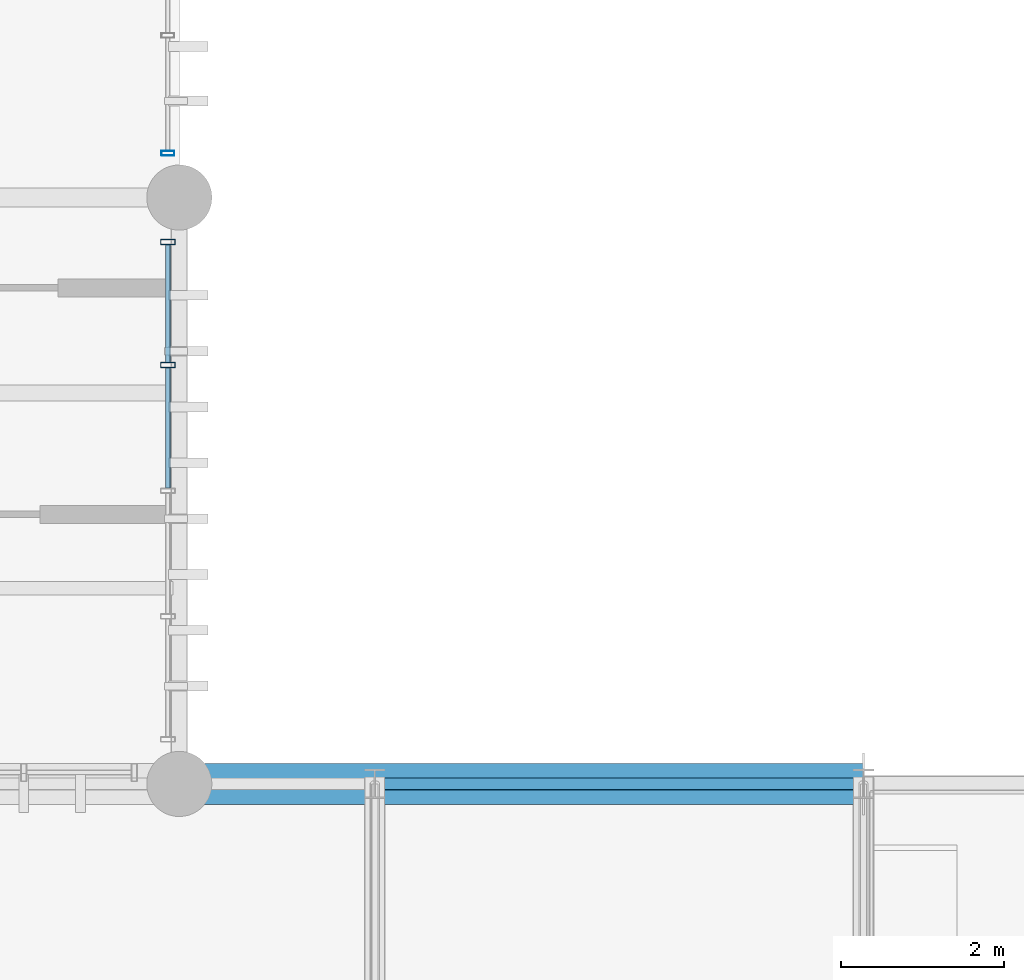
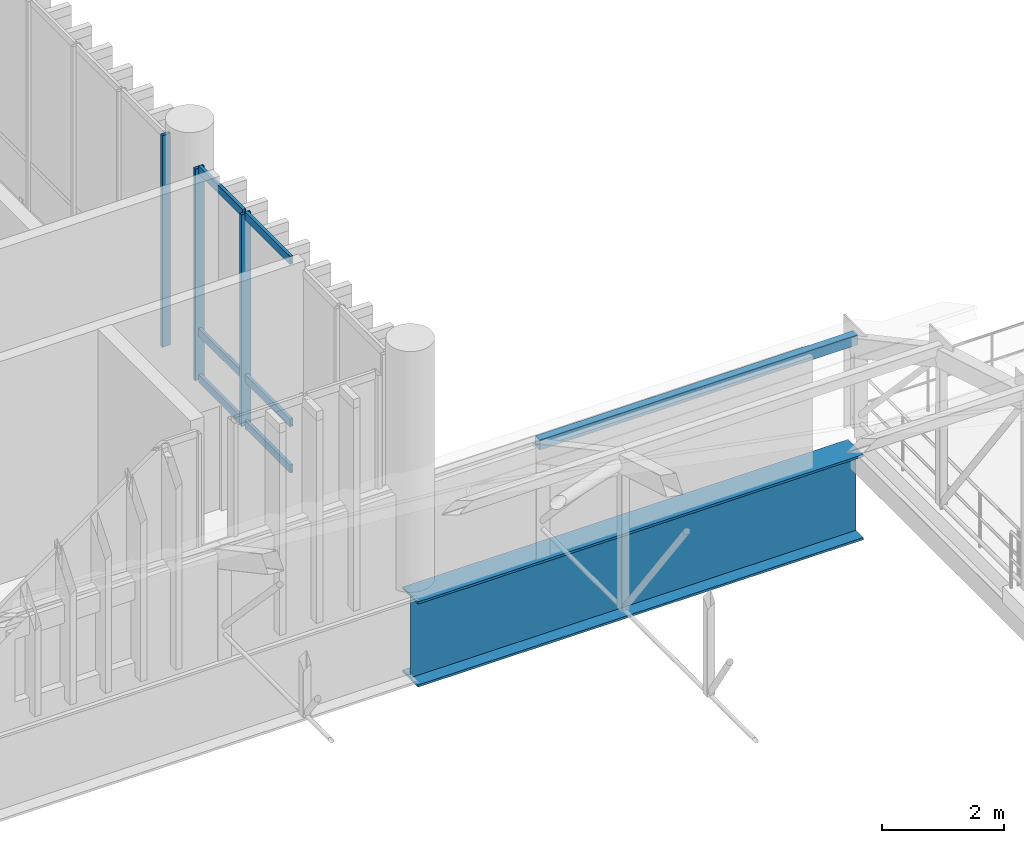
# One storey, part 54 of 109: 10 members, 1 beam, 2 elements without a shape of their own.
"""IFC4 building model written with IfcOpenShell, lengths in metres."""

from ifc_helpers import new_model, si_unit, direction, frame, origin_with_axes, origin_2d_with_axis, place, context, subcontext, project, spatial, hollow_rectangle, i_section, extrude, material, material_profile, profile_set, type_object, element, aggregate, save


model = new_model("IFC4")

# Units and contexts
model_context = context("Model", 3, precision=1e-05, world=origin_with_axes(), true_north=direction((0.0, 1.0)))
body_context = subcontext(model_context, "Body", "Model", "MODEL_VIEW")
ifc_project = project(units=[si_unit("LENGTHUNIT", "METRE"), si_unit("AREAUNIT", "SQUARE_METRE"), si_unit("VOLUMEUNIT", "CUBIC_METRE"), si_unit("PLANEANGLEUNIT", "RADIAN"), si_unit("MASSUNIT", "GRAM", prefix="KILO"), si_unit("THERMODYNAMICTEMPERATUREUNIT", "KELVIN")], contexts=[model_context])

# Site, building, storey
site_placement = place(None, origin_with_axes())
site = spatial("IfcSite", under=ifc_project, at=site_placement, CompositionType="ELEMENT")
building_placement = place(site_placement, origin_with_axes())
building = spatial("IfcBuilding", under=site, at=building_placement, Name="Montbau Bow Law Courts", CompositionType="ELEMENT")
storey_placement = place(building_placement, frame((0.0, 0.0, 10.8), z_axis=(0.0, 0.0, 1.0), x_axis=(1.0, 0.0, 0.0)))
storey = spatial("IfcBuildingStorey", under=building, at=storey_placement, Name="L02", CompositionType="ELEMENT", Elevation=10.8)

# Beam
ifc_material_1 = material(Name="Steel CSA G40.21 Grade 350WT (350 MPa)", Category="steel")
ifc_material_profile_1 = material_profile(ifc_material_1, i_section(OverallWidth=0.5, OverallDepth=1.7, WebThickness=0.02, FlangeThickness=0.045, at=origin_2d_with_axis()), Name="WWF1700X480", Category="Main", Priority=0)
ifc_profile_set_1 = profile_set([ifc_material_profile_1], Name="Steel CSA G40.21 Grade 350WT (350 MPa)")
beam_type = type_object("IfcBeamType", Name="B-TRG-02", PredefinedType="USERDEFINED", material=ifc_profile_set_1)
beam_placement = place(None, frame((97.2, 39.0, 9.63), z_axis=(1.0, 0.0, 0.0), x_axis=(0.0, 1.0, 0.0)))
element("IfcBeam", 1, at=beam_placement, inside=storey, type_object=beam_type, Name="VRG-L02-S0018:bm2_0021", ObjectType="GIRDER", PredefinedType="USERDEFINED", context=body_context, shape_type="SweptSolid", body=[
    extrude(i_section(OverallWidth=0.5, OverallDepth=1.7, WebThickness=0.02, FlangeThickness=0.045, at=origin_2d_with_axis()), origin_with_axes(), (0.0, 0.0, 1.0), 8.4),
])

# Curtain wall, members
ifc_material_2 = material(Name="Thermally Broken Extruded Aluminium AA 6063-T6", Category="aluminium")
curtain_wall_type = type_object("IfcCurtainWallType", Name="CW-CRM-01", PredefinedType="NOTDEFINED", material=ifc_material_2)
curtain_wall_1_placement = place(None, frame((97.06, 39.515, 10.8), z_axis=(0.0, 0.0, 1.0), x_axis=(1.0, 0.0, 0.0)))
curtain_wall_1 = element("IfcCurtainWall", 2, at=curtain_wall_1_placement, inside=storey, type_object=curtain_wall_type, Name="CW-L02-172:cw_0172", PredefinedType="NOTDEFINED")
ifc_material_profile_2 = material_profile(ifc_material_2, hollow_rectangle(XDim=0.065, YDim=0.18, WallThickness=0.005, InnerFilletRadius=0.01, OuterFilletRadius=0.005, at=origin_2d_with_axis()), Name="CWM-180X65", Category="Main", Priority=0)
ifc_profile_set_2 = profile_set([ifc_material_profile_2], Name="Thermally Broken Extruded Aluminium AA 6063-T6")
member_type_1 = type_object("IfcMemberType", Name="M-MUL-02", PredefinedType="MULLION", material=ifc_profile_set_2)
member_1_placement = place(None, frame((97.06, 44.143, 10.8), z_axis=(0.0, 0.0, 1.0), x_axis=(0.0, 1.0, 0.0)))
member_1 = element("IfcMember", 3, at=member_1_placement, type_object=member_type_1, Name="CW-L02-172-M04:cw_0172_M04", PredefinedType="MULLION", context=body_context, shape_type="SweptSolid", body=[
    extrude(hollow_rectangle(XDim=0.065, YDim=0.18, WallThickness=0.005, InnerFilletRadius=0.01, OuterFilletRadius=0.005, at=origin_2d_with_axis()), origin_with_axes(), (0.0, 0.0, 1.0), 4.22),
])
member_2_placement = place(None, frame((97.06, 45.653, 10.8), z_axis=(0.0, 0.0, 1.0), x_axis=(0.0, 1.0, 0.0)))
member_2 = element("IfcMember", 4, at=member_2_placement, type_object=member_type_1, Name="CW-L02-172-M05:cw_0172_M05", PredefinedType="MULLION", context=body_context, shape_type="SweptSolid", body=[
    extrude(hollow_rectangle(XDim=0.065, YDim=0.18, WallThickness=0.005, InnerFilletRadius=0.01, OuterFilletRadius=0.005, at=origin_2d_with_axis()), origin_with_axes(), (0.0, 0.0, 1.0), 4.22),
])

# Curtain wall, member
curtain_wall_2_placement = place(None, frame((97.06, 46.715, 10.8), z_axis=(0.0, 0.0, 1.0), x_axis=(1.0, 0.0, 0.0)))
curtain_wall_2 = element("IfcCurtainWall", 5, at=curtain_wall_2_placement, inside=storey, type_object=curtain_wall_type, Name="CW-L02-173:cw_0173", PredefinedType="NOTDEFINED")
ifc_material_profile_3 = material_profile(ifc_material_2, hollow_rectangle(XDim=0.06, YDim=0.16, WallThickness=0.004, InnerFilletRadius=0.008, OuterFilletRadius=0.004, at=origin_2d_with_axis()), Name="CWM-160X60", Category="Main", Priority=0)
ifc_profile_set_3 = profile_set([ifc_material_profile_3], Name="Thermally Broken Extruded Aluminium AA 6063-T6")
member_type_2 = type_object("IfcMemberType", Name="M-MUL-03", PredefinedType="MULLION", material=ifc_profile_set_3)
member_3_placement = place(None, frame((97.06, 46.745, 10.8), z_axis=(0.0, 0.0, 1.0), x_axis=(0.0, 1.0, 0.0)))
member_3 = element("IfcMember", 6, at=member_3_placement, type_object=member_type_2, Name="CW-L02-173-M01:cw_0173_M01", PredefinedType="MULLION", context=body_context, shape_type="SweptSolid", body=[
    extrude(hollow_rectangle(XDim=0.06, YDim=0.16, WallThickness=0.004, InnerFilletRadius=0.008, OuterFilletRadius=0.004, at=origin_2d_with_axis()), origin_with_axes(), (0.0, 0.0, 1.0), 4.22),
])
aggregate(curtain_wall_2, [member_3])

# Member
ifc_material_profile_4 = material_profile(ifc_material_1, hollow_rectangle(XDim=0.152, YDim=0.203, WallThickness=0.0095, InnerFilletRadius=0.019, OuterFilletRadius=0.0095, at=origin_2d_with_axis()), Name="HSS203X152X9.5", Category="Main", Priority=0)
ifc_profile_set_4 = profile_set([ifc_material_profile_4], Name="Steel CSA G40.21 Grade 350WT (350 MPa)")
member_type_3 = type_object("IfcMemberType", Name="M-PUR-01", PredefinedType="PURLIN", material=ifc_profile_set_4)
member_4_placement = place(None, frame((99.6, 39.0, 12.658), z_axis=(1.0, 0.0, 0.0), x_axis=(0.0, 1.0, 0.0)))
element("IfcMember", 7, at=member_4_placement, inside=storey, type_object=member_type_3, Name="Barrel vault roof truss purlin V4-098", PredefinedType="PURLIN", context=body_context, shape_type="SweptSolid", body=[
    extrude(hollow_rectangle(XDim=0.152, YDim=0.203, WallThickness=0.0095, InnerFilletRadius=0.019, OuterFilletRadius=0.0095, at=origin_2d_with_axis()), origin_with_axes(), (0.0, 0.0, 1.0), 6.0),
])

ifc_material_profile_5 = material_profile(ifc_material_2, hollow_rectangle(XDim=0.06, YDim=0.16, WallThickness=0.004, InnerFilletRadius=0.008, OuterFilletRadius=0.004, at=origin_2d_with_axis()), Name="CWT-160X60", Category="Main", Priority=0)
ifc_profile_set_5 = profile_set([ifc_material_profile_5], Name="Thermally Broken Extruded Aluminium AA 6063-T6")
member_type_4 = type_object("IfcMemberType", Name="M-TRN-01", PredefinedType="USERDEFINED", material=ifc_profile_set_5)
member_5_placement = place(None, frame((97.06, 42.634, 10.83), z_axis=(0.0, 1.0, 0.0), x_axis=(-1.0, 0.0, 0.0)))
member_5 = element("IfcMember", 8, at=member_5_placement, type_object=member_type_4, Name="CW-L02-172-T03-1:cw_0172_T03_1", ObjectType="TRANSOM", PredefinedType="USERDEFINED", context=body_context, shape_type="SweptSolid", body=[
    extrude(hollow_rectangle(XDim=0.06, YDim=0.16, WallThickness=0.004, InnerFilletRadius=0.008, OuterFilletRadius=0.004, at=origin_2d_with_axis()), origin_with_axes(), (0.0, 0.0, 1.0), 1.475),
])

member_6_placement = place(None, frame((97.06, 42.634, 11.75), z_axis=(0.0, 1.0, 0.0), x_axis=(-1.0, 0.0, 0.0)))
member_6 = element("IfcMember", 9, at=member_6_placement, type_object=member_type_4, Name="CW-L02-172-T03-2:cw_0172_T03_2", ObjectType="TRANSOM", PredefinedType="USERDEFINED", context=body_context, shape_type="SweptSolid", body=[
    extrude(hollow_rectangle(XDim=0.06, YDim=0.16, WallThickness=0.004, InnerFilletRadius=0.008, OuterFilletRadius=0.004, at=origin_2d_with_axis()), origin_with_axes(), (0.0, 0.0, 1.0), 1.475),
])

member_7_placement = place(None, frame((97.06, 42.634, 14.99), z_axis=(0.0, 1.0, 0.0), x_axis=(-1.0, 0.0, 0.0)))
member_7 = element("IfcMember", 10, at=member_7_placement, type_object=member_type_4, Name="CW-L02-172-T03-3:cw_0172_T03_3", ObjectType="TRANSOM", PredefinedType="USERDEFINED", context=body_context, shape_type="SweptSolid", body=[
    extrude(hollow_rectangle(XDim=0.06, YDim=0.16, WallThickness=0.004, InnerFilletRadius=0.008, OuterFilletRadius=0.004, at=origin_2d_with_axis()), origin_with_axes(), (0.0, 0.0, 1.0), 1.475),
])

member_8_placement = place(None, frame((97.06, 44.177, 10.83), z_axis=(0.0, 1.0, 0.0), x_axis=(-1.0, 0.0, 0.0)))
member_8 = element("IfcMember", 11, at=member_8_placement, type_object=member_type_4, Name="CW-L02-172-T04-1:cw_0172_T04_1", ObjectType="TRANSOM", PredefinedType="USERDEFINED", context=body_context, shape_type="SweptSolid", body=[
    extrude(hollow_rectangle(XDim=0.06, YDim=0.16, WallThickness=0.004, InnerFilletRadius=0.008, OuterFilletRadius=0.004, at=origin_2d_with_axis()), origin_with_axes(), (0.0, 0.0, 1.0), 1.442),
])

member_9_placement = place(None, frame((97.06, 44.177, 11.75), z_axis=(0.0, 1.0, 0.0), x_axis=(-1.0, 0.0, 0.0)))
member_9 = element("IfcMember", 12, at=member_9_placement, type_object=member_type_4, Name="CW-L02-172-T04-2:cw_0172_T04_2", ObjectType="TRANSOM", PredefinedType="USERDEFINED", context=body_context, shape_type="SweptSolid", body=[
    extrude(hollow_rectangle(XDim=0.06, YDim=0.16, WallThickness=0.004, InnerFilletRadius=0.008, OuterFilletRadius=0.004, at=origin_2d_with_axis()), origin_with_axes(), (0.0, 0.0, 1.0), 1.442),
])

member_10_placement = place(None, frame((97.06, 44.177, 14.99), z_axis=(0.0, 1.0, 0.0), x_axis=(-1.0, 0.0, 0.0)))
member_10 = element("IfcMember", 13, at=member_10_placement, type_object=member_type_4, Name="CW-L02-172-T04-3:cw_0172_T04_3", ObjectType="TRANSOM", PredefinedType="USERDEFINED", context=body_context, shape_type="SweptSolid", body=[
    extrude(hollow_rectangle(XDim=0.06, YDim=0.16, WallThickness=0.004, InnerFilletRadius=0.008, OuterFilletRadius=0.004, at=origin_2d_with_axis()), origin_with_axes(), (0.0, 0.0, 1.0), 1.442),
])

aggregate(curtain_wall_1, [member_1, member_2, member_5, member_6, member_7, member_8, member_9, member_10])

save(model, "model.ifc")
